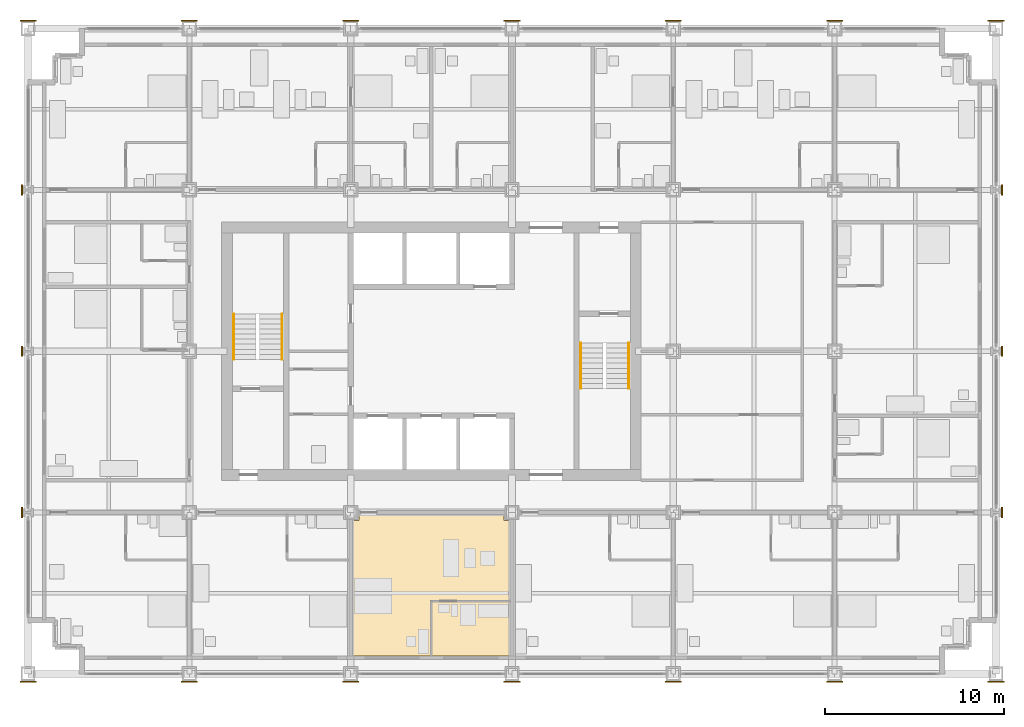
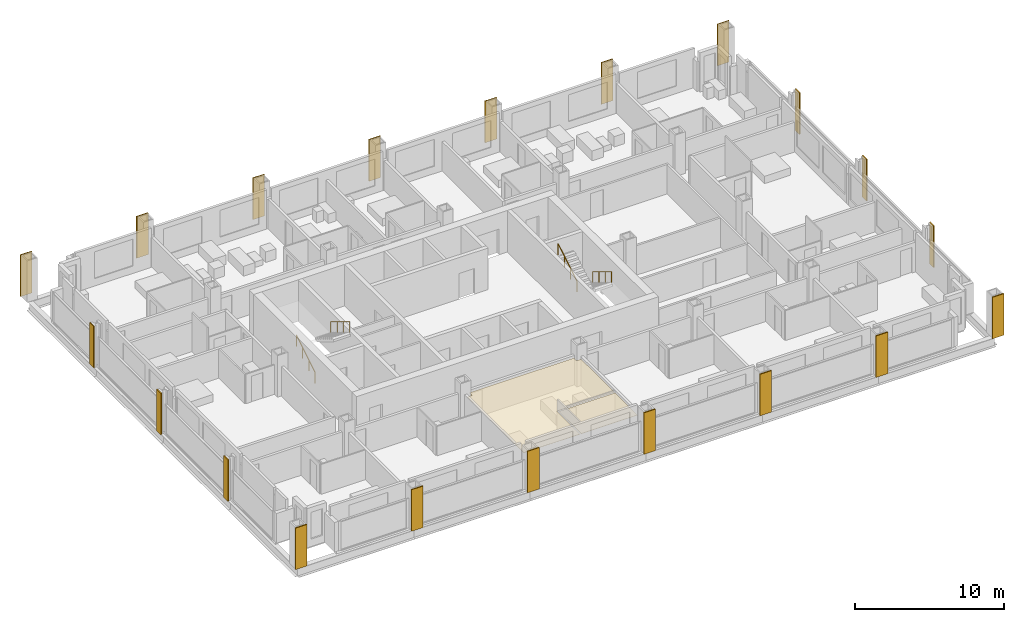
# One storey, part 16 of 18: 22 coverings, 4 railings.
"""IFC4 building model written with IfcOpenShell, lengths in metres."""

import ifcopenshell
import ifcopenshell.guid

model = None  # the IFC model being written
_history = None  # IfcOwnerHistory: only IFC2X3 demands one
_inside = {}  # id of a spatial element -> (the spatial element, [elements in it])
_under = {}  # id of a project, library or spatial element -> (it, [spatial elements below it])
_declared = {}  # id of a project -> (the project, [libraries it declares])
_typed = {}  # id of a type object -> (the type object, [elements of that type])
_made_of = {}  # id of a material, layer set ... -> (it, [elements and type objects made of it])


def new_model(schema):
    """Start an empty IFC model of exactly this schema.

    Asked for "IFC4X3", IfcOpenShell would pick the latest addendum, in which some entities
    have other attributes; the version numbers below select the first issue.
    IFC2X3 requires an IfcOwnerHistory on every rooted entity: one is made here for all.
    """
    global model, _history
    if schema == "IFC4X3":
        model = ifcopenshell.file(schema_version=(4, 3, 0, 0))
    else:
        model = ifcopenshell.file(schema=schema)
    _inside.clear()
    _under.clear()
    _declared.clear()
    _typed.clear()
    _made_of.clear()
    _history = None
    if model.schema == "IFC2X3":
        org = make("IfcOrganization", Name="unknown")
        user = make(
            "IfcPersonAndOrganization",
            ThePerson=make("IfcPerson", FamilyName="unknown"),
            TheOrganization=org,
        )
        app = make(
            "IfcApplication",
            ApplicationDeveloper=org,
            Version="unknown",
            ApplicationFullName="unknown",
            ApplicationIdentifier="unknown",
        )
        _history = make(
            "IfcOwnerHistory",
            OwningUser=user,
            OwningApplication=app,
            ChangeAction="ADDED",
            CreationDate=0,
        )
    return model


def make(cls, **values):
    """One entity of the class cls with the attributes given. An attribute that is None is left unset."""
    return model.create_entity(
        cls, **{name: value for name, value in values.items() if value is not None}
    )


def rooted(cls, **values):
    """An entity with a GlobalId (a new one), such as an element, a storey or a relation."""
    return make(cls, GlobalId=ifcopenshell.guid.new(), OwnerHistory=_history, **values)


def si_unit(unit_type, name, prefix=None):
    """IfcSIUnit, for example si_unit("LENGTHUNIT", "METRE", prefix="MILLI")."""
    return make("IfcSIUnit", UnitType=unit_type, Prefix=prefix, Name=name)


def assignment(units):
    """IfcUnitAssignment: the units of a project."""
    return None if units is None else make("IfcUnitAssignment", Units=units)


def point(xyz):
    """IfcCartesianPoint."""
    return None if xyz is None else make("IfcCartesianPoint", Coordinates=xyz)


def direction(xyz):
    """IfcDirection."""
    return None if xyz is None else make("IfcDirection", DirectionRatios=xyz)


def frame(location, z_axis=None, x_axis=None):
    """IfcAxis2Placement3D, a coordinate frame: its origin and axes. An axis left out is left unset."""
    return make(
        "IfcAxis2Placement3D",
        Location=point(location),
        Axis=direction(z_axis),
        RefDirection=direction(x_axis),
    )


def frame_2d(location, x_axis=None):
    """IfcAxis2Placement2D, a coordinate frame in the plane: its origin and x axis."""
    return make(
        "IfcAxis2Placement2D", Location=point(location), RefDirection=direction(x_axis)
    )


def origin():
    """The frame at (0, 0, 0) with its axes left unset."""
    return frame((0.0, 0.0, 0.0))


def origin_2d():
    """The frame at (0, 0) in the plane with its x axis left unset."""
    return frame_2d((0.0, 0.0))


def place(relative_to, where):
    """IfcLocalPlacement: puts the frame where relative to a parent placement (None: the world)."""
    return make(
        "IfcLocalPlacement", PlacementRelTo=relative_to, RelativePlacement=where
    )


def context(
    kind, dimensions, precision=None, world=None, true_north=None, identifier=None
):
    """IfcGeometricRepresentationContext, for example the 3D "Model" context."""
    return make(
        "IfcGeometricRepresentationContext",
        ContextIdentifier=identifier,
        ContextType=kind,
        CoordinateSpaceDimension=dimensions,
        Precision=precision,
        WorldCoordinateSystem=world,
        TrueNorth=true_north,
    )


def subcontext(parent, identifier, kind, view, scale=None):
    """IfcGeometricRepresentationSubContext, for example "Body" below "Model"."""
    return make(
        "IfcGeometricRepresentationSubContext",
        ContextIdentifier=identifier,
        ContextType=kind,
        ParentContext=parent,
        TargetScale=scale,
        TargetView=view,
    )


def project(units=None, contexts=None):
    """IfcProject with its units and contexts."""
    return rooted(
        "IfcProject",
        Name="project",
        RepresentationContexts=contexts,
        UnitsInContext=assignment(units),
    )


def spatial(cls, under=None, at=None, **own):
    """A site, building, storey or space (cls), placed at a placement, below another one or the project."""
    s = rooted(cls, ObjectPlacement=at, **own)
    if under is not None:
        _under.setdefault(under.id(), (under, []))[1].append(s)
    return s


def polyline(points):
    """IfcPolyline through the points."""
    return make("IfcPolyline", Points=[point(p) for p in points])


def profile(cls, at=None, kind="AREA", **sizes):
    """A parametric profile (cls). Its sizes go by their IFC names, for example OverallWidth=200.0."""
    return make(cls, ProfileType=kind, Position=at, **sizes)


def rectangle(**sizes):
    """IfcRectangleProfileDef."""
    return profile("IfcRectangleProfileDef", **sizes)


def circle(**sizes):
    """IfcCircleProfileDef."""
    return profile("IfcCircleProfileDef", **sizes)


def outline(outer, holes=None, kind="AREA"):
    """IfcArbitraryClosedProfileDef: a profile drawn as a closed curve; with holes, ...WithVoids."""
    if holes is None:
        return make("IfcArbitraryClosedProfileDef", ProfileType=kind, OuterCurve=outer)
    return make(
        "IfcArbitraryProfileDefWithVoids",
        ProfileType=kind,
        OuterCurve=outer,
        InnerCurves=holes,
    )


def extrude(swept, where, along, depth):
    """IfcExtrudedAreaSolid: the profile swept, set in the frame where, extruded along a direction by depth."""
    return make(
        "IfcExtrudedAreaSolid",
        SweptArea=swept,
        Position=where,
        ExtrudedDirection=direction(along),
        Depth=depth,
    )


def shape(context_of_items, identifier, shape_type, items):
    """IfcShapeRepresentation: the items that make up one representation, for example the "Body"."""
    return make(
        "IfcShapeRepresentation",
        ContextOfItems=context_of_items,
        RepresentationIdentifier=identifier,
        RepresentationType=shape_type,
        Items=items,
    )


def material(Name=None, Category=None):
    """IfcMaterial."""
    return make("IfcMaterial", Name=Name, Category=Category)


def layer(
    of_material, thickness, ventilated=None, Name=None, Category=None, Priority=None
):
    """IfcMaterialLayer: one layer of a wall or slab, of a material (None: an air gap)."""
    return make(
        "IfcMaterialLayer",
        Material=of_material,
        LayerThickness=thickness,
        IsVentilated=ventilated,
        Name=Name,
        Category=Category,
        Priority=Priority,
    )


def layer_set(layers, Name=None):
    """IfcMaterialLayerSet."""
    return make("IfcMaterialLayerSet", MaterialLayers=layers, LayerSetName=Name)


def made_of(thing, what):
    """Note that an element or type object is made of a material, layer set ...; save() writes the relation."""
    if what is not None:
        _made_of.setdefault(what.id(), (what, []))[1].append(thing)
    return thing


def type_object(cls, material=None, **own):
    """A type object (cls), such as IfcWallType, which elements share."""
    return made_of(rooted(cls, **own), material)


def element(
    cls,
    number,
    at=None,
    inside=None,
    cuts=None,
    type_object=None,
    material=None,
    context=None,
    identifier="Body",
    shape_type=None,
    held_by="IfcProductDefinitionShape",
    body=None,
    shapes=None,
    **own,
):
    """One element of the class cls, such as IfcWall. Its Tag is "e" and its number.

    at: its placement. inside: the storey or other place that contains it. cuts: it is an
    opening in that element (IfcRelVoidsElement). A single representation is given by context,
    identifier, shape_type and body (its items); several are given by shapes. held_by: the class
    of the entity that holds the representations. save() writes the other relations.
    """
    e = rooted(cls, Tag="e%d" % number, ObjectPlacement=at, **own)
    if body is not None:
        shapes = [shape(context, identifier, shape_type, body)]
    if shapes is not None:
        e.Representation = make(held_by, Representations=shapes)
    if inside is not None:
        _inside.setdefault(inside.id(), (inside, []))[1].append(e)
    if cuts is not None:
        rooted(
            "IfcRelVoidsElement", RelatingBuildingElement=cuts, RelatedOpeningElement=e
        )
    if type_object is not None:
        _typed.setdefault(type_object.id(), (type_object, []))[1].append(e)
    return made_of(e, material)


def aggregate(whole, parts):
    """IfcRelAggregates: a whole, such as a stair, and the parts it consists of."""
    return rooted("IfcRelAggregates", RelatingObject=whole, RelatedObjects=parts)


def save(model, path):
    """Write the relations noted so far, then the file.

    IfcRelAggregates (storeys below a building ...), IfcRelContainedInSpatialStructure (elements
    in a storey), IfcRelDefinesByType, IfcRelAssociatesMaterial and IfcRelDeclares: one each for
    every whole, place, type object, material and project.
    """
    for whole, parts in _under.values():
        aggregate(whole, parts)
    for where, things in _inside.values():
        rooted(
            "IfcRelContainedInSpatialStructure",
            RelatedElements=things,
            RelatingStructure=where,
        )
    for kind, things in _typed.values():
        rooted("IfcRelDefinesByType", RelatedObjects=things, RelatingType=kind)
    for what, things in _made_of.values():
        rooted("IfcRelAssociatesMaterial", RelatedObjects=things, RelatingMaterial=what)
    for by, libraries in _declared.values():
        rooted("IfcRelDeclares", RelatingContext=by, RelatedDefinitions=libraries)
    model.write(path)


model = new_model("IFC4")

# Units and contexts
model_context = context("Model", 3, precision=1e-05, world=origin(), true_north=direction((0.0, 1.0)))
body_context = subcontext(model_context, "Body", "Model", "MODEL_VIEW")
ifc_project = project(units=[si_unit("LENGTHUNIT", "METRE"), si_unit("AREAUNIT", "SQUARE_METRE"), si_unit("VOLUMEUNIT", "CUBIC_METRE"), si_unit("PLANEANGLEUNIT", "RADIAN"), si_unit("MASSUNIT", "GRAM", prefix="KILO")], contexts=[model_context])

# Site, building, storey
site_placement = place(None, origin())
site = spatial("IfcSite", under=ifc_project, at=site_placement, CompositionType="ELEMENT")
building_placement = place(site_placement, origin())
building = spatial("IfcBuilding", under=site, at=building_placement, Name="Loomwork Tower", CompositionType="ELEMENT")
storey_placement = place(building_placement, frame((0.0, 0.0, 48.39990234375)))
storey = spatial("IfcBuildingStorey", under=building, at=storey_placement, Name="L11", CompositionType="ELEMENT", Elevation=48.39990234375)

# Railings
ifc_material_1 = material(Name="Stainless steel handrail", Category="steel")
railing_type = type_object("IfcRailingType", Name="Handrail 900", PredefinedType="HANDRAIL", material=ifc_material_1)
railing_1_placement = place(storey_placement, frame((11.485107421875, 17.550048828125, 0.170166015625)))
element("IfcRailing", 1, at=railing_1_placement, inside=storey, type_object=railing_type, Name="Stair A handrail flight 1 L11", PredefinedType="HANDRAIL", context=body_context, shape_type="SweptSolid", body=[
    extrude(circle(Radius=0.02392578125, at=origin_2d()), frame((0.0, 0.0, 0.8759765625), z_axis=(0.0, 0.85478489116, 0.518982456201), x_axis=(-1.0, 0.0, 0.0)), (0.0, 0.0, 1.0), 2.9482421875),
    extrude(circle(Radius=0.02099609375, at=origin_2d()), origin(), (0.0, 0.0, 1.0), 0.851806640625),
    extrude(circle(Radius=0.02099609375, at=origin_2d()), frame((0.0, 0.840087890625, 0.510009765625)), (0.0, 0.0, 1.0), 0.851806640625),
    extrude(circle(Radius=0.02099609375, at=origin_2d()), frame((0.0, 1.679931640625, 1.02001953125)), (0.0, 0.0, 1.0), 0.851806640625),
    extrude(circle(Radius=0.02099609375, at=origin_2d()), frame((0.0, 2.52001953125, 1.530029296875)), (0.0, 0.0, 1.0), 0.851806640625),
])
for number, where, name in (
    (2, (14.1650390625, 20.070068359375, 1.8701171875), "Stair A handrail flight 2 L11"),
    (3, (33.514892578125, 18.449951171875, 0.170166015625), "Stair B handrail flight 1 L11"),
):
    element("IfcRailing", number, at=place(storey_placement, frame(where)), inside=storey, type_object=railing_type, Name=name, PredefinedType="HANDRAIL", context=body_context, shape_type="SweptSolid", body=[
        extrude(circle(Radius=0.02392578125, at=origin_2d()), frame((0.0, 0.0, 0.8759765625), z_axis=(0.0, -0.85478489116, 0.518982456201), x_axis=(1.0, 0.0, 0.0)), (0.0, 0.0, 1.0), 2.9482421875),
        extrude(circle(Radius=0.02099609375, at=origin_2d()), origin(), (0.0, 0.0, 1.0), 0.851806640625),
        extrude(circle(Radius=0.02099609375, at=origin_2d()), frame((0.0, -0.840087890625, 0.510009765625)), (0.0, 0.0, 1.0), 0.851806640625),
        extrude(circle(Radius=0.02099609375, at=origin_2d()), frame((0.0, -1.679931640625, 1.02001953125)), (0.0, 0.0, 1.0), 0.851806640625),
        extrude(circle(Radius=0.02099609375, at=origin_2d()), frame((0.0, -2.52001953125, 1.530029296875)), (0.0, 0.0, 1.0), 0.851806640625),
    ])
railing_2_placement = place(storey_placement, frame((30.8349609375, 15.929931640625, 1.8701171875)))
element("IfcRailing", 4, at=railing_2_placement, inside=storey, type_object=railing_type, Name="Stair B handrail flight 2 L11", PredefinedType="HANDRAIL", context=body_context, shape_type="SweptSolid", body=[
    extrude(circle(Radius=0.02392578125, at=origin_2d()), frame((0.0, 0.0, 0.8759765625), z_axis=(0.0, 0.85478489116, 0.518982456201), x_axis=(-1.0, 0.0, 0.0)), (0.0, 0.0, 1.0), 2.9482421875),
    extrude(circle(Radius=0.02099609375, at=origin_2d()), origin(), (0.0, 0.0, 1.0), 0.851806640625),
    extrude(circle(Radius=0.02099609375, at=origin_2d()), frame((0.0, 0.840087890625, 0.510009765625)), (0.0, 0.0, 1.0), 0.851806640625),
    extrude(circle(Radius=0.02099609375, at=origin_2d()), frame((0.0, 1.679931640625, 1.02001953125)), (0.0, 0.0, 1.0), 0.851806640625),
    extrude(circle(Radius=0.02099609375, at=origin_2d()), frame((0.0, 2.52001953125, 1.530029296875)), (0.0, 0.0, 1.0), 0.851806640625),
])

# Coverings
ifc_material_2 = material(Name="Limestone", Category="masonry")
ifc_layer_1 = layer(ifc_material_2, 0.080078125)
ifc_layer_set_1 = layer_set([ifc_layer_1], Name="Limestone pier facing 80")
covering_type_1 = type_object("IfcCoveringType", Name="Limestone pier facing 80", PredefinedType="CLADDING", material=ifc_layer_set_1)
covering_1_placement = place(storey_placement, frame((0.0, -0.43994140625, 0.000244140625), z_axis=(0.0, 0.0, 1.0), x_axis=(1.0, 0.0, 0.0)))
element("IfcCovering", 5, at=covering_1_placement, inside=storey, type_object=covering_type_1, Name="Pier facing D/2 L11", PredefinedType="CLADDING", context=body_context, shape_type="SweptSolid", body=[
    extrude(rectangle(XDim=0.89990234375, YDim=0.080078125, at=origin_2d()), origin(), (0.0, 0.0, 1.0), 3.39990234375),
])
for number, where, z_axis, x_axis, name in (
    (6, (-0.339599609375, 9.0, 0.000244140625), (0.0, 0.0, 1.0), (1.0, 0.0, 0.0), "Pier facing E/2 L11"),
    (7, (-0.339599609375, 18.0, 0.000244140625), (0.0, 0.0, 1.0), (1.0, 0.0, 0.0), "Pier facing F/2 L11"),
    (8, (-0.339599609375, 27.0, 0.000244140625), (0.0, 0.0, 1.0), (1.0, 0.0, 0.0), "Pier facing G/2 L11"),
):
    element("IfcCovering", number, at=place(storey_placement, frame(where, z_axis=z_axis, x_axis=x_axis)), inside=storey, type_object=covering_type_1, Name=name, PredefinedType="CLADDING", context=body_context, shape_type="SweptSolid", body=[
        extrude(rectangle(XDim=0.080078125, YDim=0.577392578125, at=origin_2d()), origin(), (0.0, 0.0, 1.0), 3.39990234375),
    ])
for number, where, z_axis, x_axis, name in (
    (9, (0.0, 36.43994140625, 0.000244140625), (0.0, 0.0, 1.0), (1.0, 0.0, 0.0), "Pier facing H/2 L11"),
    (10, (9.0, -0.43994140625, 0.000244140625), (0.0, 0.0, 1.0), (1.0, 0.0, 0.0), "Pier facing D/3 L11"),
    (11, (9.0, 36.43994140625, 0.000244140625), (0.0, 0.0, 1.0), (1.0, 0.0, 0.0), "Pier facing H/3 L11"),
    (12, (18.0, -0.43994140625, 0.000244140625), (0.0, 0.0, 1.0), (1.0, 0.0, 0.0), "Pier facing D/4 L11"),
    (13, (18.0, 36.43994140625, 0.000244140625), (0.0, 0.0, 1.0), (1.0, 0.0, 0.0), "Pier facing H/4 L11"),
    (14, (27.0, -0.43994140625, 0.000244140625), (0.0, 0.0, 1.0), (1.0, 0.0, 0.0), "Pier facing D/5 L11"),
    (15, (27.0, 36.43994140625, 0.000244140625), (0.0, 0.0, 1.0), (1.0, 0.0, 0.0), "Pier facing H/5 L11"),
    (16, (36.0, -0.43994140625, 0.000244140625), (0.0, 0.0, 1.0), (1.0, 0.0, 0.0), "Pier facing D/6 L11"),
    (17, (36.0, 36.43994140625, 0.000244140625), (0.0, 0.0, 1.0), (1.0, 0.0, 0.0), "Pier facing H/6 L11"),
    (18, (45.0, -0.43994140625, 0.000244140625), (0.0, 0.0, 1.0), (1.0, 0.0, 0.0), "Pier facing D/7 L11"),
    (19, (45.0, 36.43994140625, 0.000244140625), (0.0, 0.0, 1.0), (1.0, 0.0, 0.0), "Pier facing H/7 L11"),
    (20, (54.0, -0.43994140625, 0.000244140625), (0.0, 0.0, 1.0), (1.0, 0.0, 0.0), "Pier facing D/8 L11"),
):
    element("IfcCovering", number, at=place(storey_placement, frame(where, z_axis=z_axis, x_axis=x_axis)), inside=storey, type_object=covering_type_1, Name=name, PredefinedType="CLADDING", context=body_context, shape_type="SweptSolid", body=[
        extrude(rectangle(XDim=0.89990234375, YDim=0.080078125, at=origin_2d()), origin(), (0.0, 0.0, 1.0), 3.39990234375),
    ])
for number, where, z_axis, x_axis, name in (
    (21, (54.339599609375, 9.0, 0.000244140625), (0.0, 0.0, 1.0), (1.0, 0.0, 0.0), "Pier facing E/8 L11"),
    (22, (54.339599609375, 18.0, 0.000244140625), (0.0, 0.0, 1.0), (1.0, 0.0, 0.0), "Pier facing F/8 L11"),
    (23, (54.339599609375, 27.0, 0.000244140625), (0.0, 0.0, 1.0), (1.0, 0.0, 0.0), "Pier facing G/8 L11"),
):
    element("IfcCovering", number, at=place(storey_placement, frame(where, z_axis=z_axis, x_axis=x_axis)), inside=storey, type_object=covering_type_1, Name=name, PredefinedType="CLADDING", context=body_context, shape_type="SweptSolid", body=[
        extrude(rectangle(XDim=0.080078125, YDim=0.577392578125, at=origin_2d()), origin(), (0.0, 0.0, 1.0), 3.39990234375),
    ])
covering_2_placement = place(storey_placement, frame((54.0, 36.43994140625, 0.000244140625), z_axis=(0.0, 0.0, 1.0), x_axis=(1.0, 0.0, 0.0)))
element("IfcCovering", 24, at=covering_2_placement, inside=storey, type_object=covering_type_1, Name="Pier facing H/8 L11", PredefinedType="CLADDING", context=body_context, shape_type="SweptSolid", body=[
    extrude(rectangle(XDim=0.89990234375, YDim=0.080078125, at=origin_2d()), origin(), (0.0, 0.0, 1.0), 3.39990234375),
])
ifc_material_3 = material(Name="Mineral fibre acoustic tile on suspension grid")
ifc_layer_2 = layer(ifc_material_3, 0.02490234375)
ifc_layer_set_2 = layer_set([ifc_layer_2], Name="Suspended acoustic ceiling")
covering_type_2 = type_object("IfcCoveringType", Name="Suspended acoustic ceiling", PredefinedType="CEILING", material=ifc_layer_set_2)
covering_3_placement = place(storey_placement, frame((0.0, 0.0, 2.175048828125)))
element("IfcCovering", 25, at=covering_3_placement, inside=storey, type_object=covering_type_2, Name="Ceiling Spa bathroom L11", PredefinedType="CEILING", context=body_context, shape_type="SweptSolid", body=[
    extrude(outline(polyline([(26.89990234375, 4.0), (26.89990234375, 1.0), (22.550048828125, 1.0), (22.550048828125, 4.0), (26.89990234375, 4.0)])), origin(), (0.0, 0.0, 1.0), 0.025146484375),
])
covering_4_placement = place(storey_placement, frame((0.0, 0.0, 2.175048828125)))
element("IfcCovering", 26, at=covering_4_placement, inside=storey, type_object=covering_type_2, Name="Ceiling Spa suite L11", PredefinedType="CEILING", context=body_context, shape_type="SweptSolid", body=[
    extrude(outline(polyline([(26.550048828125, 8.89990234375), (26.550048828125, 8.550048828125), (26.89990234375, 8.550048828125), (26.89990234375, 4.10009765625), (22.449951171875, 4.10009765625), (22.449951171875, 1.0), (18.10009765625, 1.0), (18.10009765625, 8.550048828125), (18.449951171875, 8.550048828125), (18.449951171875, 8.89990234375), (26.550048828125, 8.89990234375)])), origin(), (0.0, 0.0, 1.0), 0.025146484375),
])

save(model, "model.ifc")
